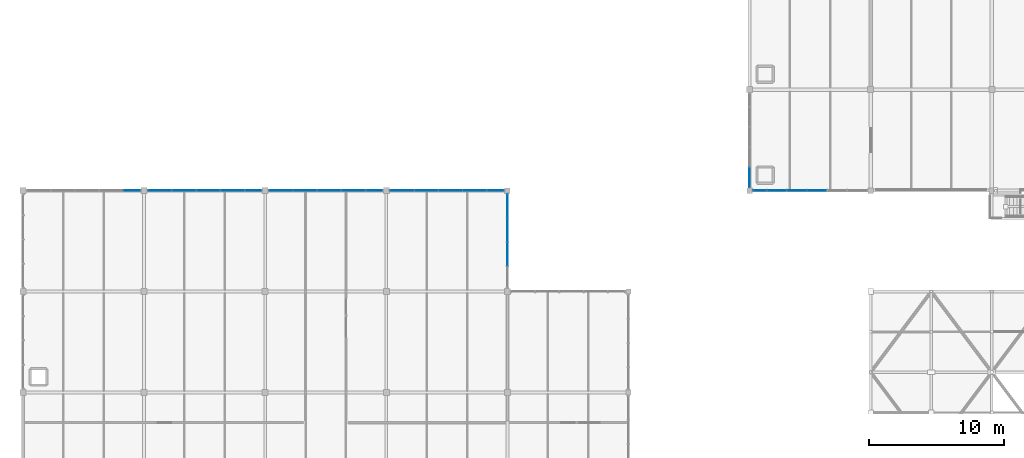
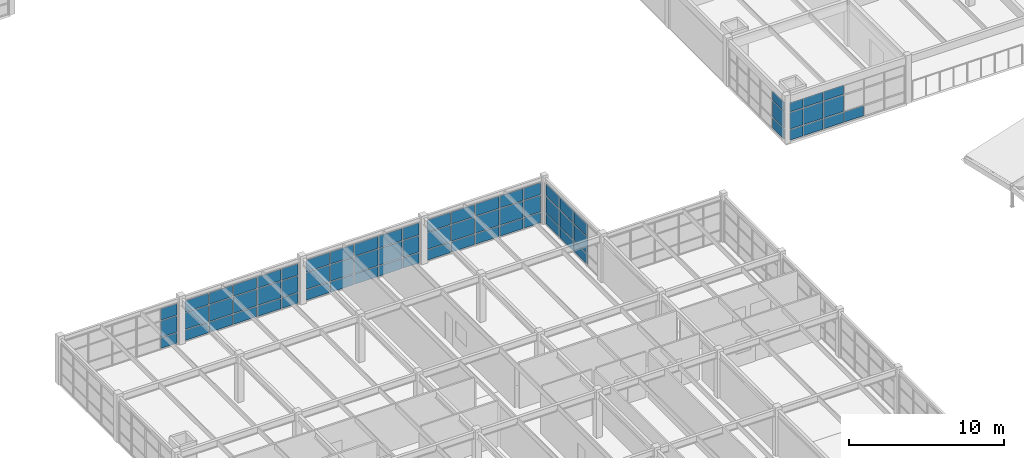
# One storey, part 52 of 81: 70 plates, 7 elements without a shape of their own.
"""IFC4 building model written with IfcOpenShell, lengths in metres."""

import ifcopenshell
import ifcopenshell.guid

model = None  # the IFC model being written
_history = None  # IfcOwnerHistory: only IFC2X3 demands one
_inside = {}  # id of a spatial element -> (the spatial element, [elements in it])
_under = {}  # id of a project, library or spatial element -> (it, [spatial elements below it])
_declared = {}  # id of a project -> (the project, [libraries it declares])
_typed = {}  # id of a type object -> (the type object, [elements of that type])
_made_of = {}  # id of a material, layer set ... -> (it, [elements and type objects made of it])


def new_model(schema):
    """Start an empty IFC model of exactly this schema.

    Asked for "IFC4X3", IfcOpenShell would pick the latest addendum, in which some entities
    have other attributes; the version numbers below select the first issue.
    IFC2X3 requires an IfcOwnerHistory on every rooted entity: one is made here for all.
    """
    global model, _history
    if schema == "IFC4X3":
        model = ifcopenshell.file(schema_version=(4, 3, 0, 0))
    else:
        model = ifcopenshell.file(schema=schema)
    _inside.clear()
    _under.clear()
    _declared.clear()
    _typed.clear()
    _made_of.clear()
    _history = None
    if model.schema == "IFC2X3":
        org = make("IfcOrganization", Name="unknown")
        user = make(
            "IfcPersonAndOrganization",
            ThePerson=make("IfcPerson", FamilyName="unknown"),
            TheOrganization=org,
        )
        app = make(
            "IfcApplication",
            ApplicationDeveloper=org,
            Version="unknown",
            ApplicationFullName="unknown",
            ApplicationIdentifier="unknown",
        )
        _history = make(
            "IfcOwnerHistory",
            OwningUser=user,
            OwningApplication=app,
            ChangeAction="ADDED",
            CreationDate=0,
        )
    return model


def make(cls, **values):
    """One entity of the class cls with the attributes given. An attribute that is None is left unset."""
    return model.create_entity(
        cls, **{name: value for name, value in values.items() if value is not None}
    )


def rooted(cls, **values):
    """An entity with a GlobalId (a new one), such as an element, a storey or a relation."""
    return make(cls, GlobalId=ifcopenshell.guid.new(), OwnerHistory=_history, **values)


def si_unit(unit_type, name, prefix=None):
    """IfcSIUnit, for example si_unit("LENGTHUNIT", "METRE", prefix="MILLI")."""
    return make("IfcSIUnit", UnitType=unit_type, Prefix=prefix, Name=name)


def assignment(units):
    """IfcUnitAssignment: the units of a project."""
    return None if units is None else make("IfcUnitAssignment", Units=units)


def point(xyz):
    """IfcCartesianPoint."""
    return None if xyz is None else make("IfcCartesianPoint", Coordinates=xyz)


def direction(xyz):
    """IfcDirection."""
    return None if xyz is None else make("IfcDirection", DirectionRatios=xyz)


def frame(location, z_axis=None, x_axis=None):
    """IfcAxis2Placement3D, a coordinate frame: its origin and axes. An axis left out is left unset."""
    return make(
        "IfcAxis2Placement3D",
        Location=point(location),
        Axis=direction(z_axis),
        RefDirection=direction(x_axis),
    )


def frame_2d(location, x_axis=None):
    """IfcAxis2Placement2D, a coordinate frame in the plane: its origin and x axis."""
    return make(
        "IfcAxis2Placement2D", Location=point(location), RefDirection=direction(x_axis)
    )


def origin():
    """The frame at (0, 0, 0) with its axes left unset."""
    return frame((0.0, 0.0, 0.0))


def origin_2d():
    """The frame at (0, 0) in the plane with its x axis left unset."""
    return frame_2d((0.0, 0.0))


def place(relative_to, where):
    """IfcLocalPlacement: puts the frame where relative to a parent placement (None: the world)."""
    return make(
        "IfcLocalPlacement", PlacementRelTo=relative_to, RelativePlacement=where
    )


def context(
    kind, dimensions, precision=None, world=None, true_north=None, identifier=None
):
    """IfcGeometricRepresentationContext, for example the 3D "Model" context."""
    return make(
        "IfcGeometricRepresentationContext",
        ContextIdentifier=identifier,
        ContextType=kind,
        CoordinateSpaceDimension=dimensions,
        Precision=precision,
        WorldCoordinateSystem=world,
        TrueNorth=true_north,
    )


def subcontext(parent, identifier, kind, view, scale=None):
    """IfcGeometricRepresentationSubContext, for example "Body" below "Model"."""
    return make(
        "IfcGeometricRepresentationSubContext",
        ContextIdentifier=identifier,
        ContextType=kind,
        ParentContext=parent,
        TargetScale=scale,
        TargetView=view,
    )


def project(units=None, contexts=None):
    """IfcProject with its units and contexts."""
    return rooted(
        "IfcProject",
        Name="project",
        RepresentationContexts=contexts,
        UnitsInContext=assignment(units),
    )


def spatial(cls, under=None, at=None, **own):
    """A site, building, storey or space (cls), placed at a placement, below another one or the project."""
    s = rooted(cls, ObjectPlacement=at, **own)
    if under is not None:
        _under.setdefault(under.id(), (under, []))[1].append(s)
    return s


def profile(cls, at=None, kind="AREA", **sizes):
    """A parametric profile (cls). Its sizes go by their IFC names, for example OverallWidth=200.0."""
    return make(cls, ProfileType=kind, Position=at, **sizes)


def rectangle(**sizes):
    """IfcRectangleProfileDef."""
    return profile("IfcRectangleProfileDef", **sizes)


def extrude(swept, where, along, depth):
    """IfcExtrudedAreaSolid: the profile swept, set in the frame where, extruded along a direction by depth."""
    return make(
        "IfcExtrudedAreaSolid",
        SweptArea=swept,
        Position=where,
        ExtrudedDirection=direction(along),
        Depth=depth,
    )


def shape(context_of_items, identifier, shape_type, items):
    """IfcShapeRepresentation: the items that make up one representation, for example the "Body"."""
    return make(
        "IfcShapeRepresentation",
        ContextOfItems=context_of_items,
        RepresentationIdentifier=identifier,
        RepresentationType=shape_type,
        Items=items,
    )


def material(Name=None, Category=None):
    """IfcMaterial."""
    return make("IfcMaterial", Name=Name, Category=Category)


def layer(
    of_material, thickness, ventilated=None, Name=None, Category=None, Priority=None
):
    """IfcMaterialLayer: one layer of a wall or slab, of a material (None: an air gap)."""
    return make(
        "IfcMaterialLayer",
        Material=of_material,
        LayerThickness=thickness,
        IsVentilated=ventilated,
        Name=Name,
        Category=Category,
        Priority=Priority,
    )


def layer_set(layers, Name=None):
    """IfcMaterialLayerSet."""
    return make("IfcMaterialLayerSet", MaterialLayers=layers, LayerSetName=Name)


def made_of(thing, what):
    """Note that an element or type object is made of a material, layer set ...; save() writes the relation."""
    if what is not None:
        _made_of.setdefault(what.id(), (what, []))[1].append(thing)
    return thing


def type_object(cls, material=None, **own):
    """A type object (cls), such as IfcWallType, which elements share."""
    return made_of(rooted(cls, **own), material)


def element(
    cls,
    number,
    at=None,
    inside=None,
    cuts=None,
    type_object=None,
    material=None,
    context=None,
    identifier="Body",
    shape_type=None,
    held_by="IfcProductDefinitionShape",
    body=None,
    shapes=None,
    **own,
):
    """One element of the class cls, such as IfcWall. Its Tag is "e" and its number.

    at: its placement. inside: the storey or other place that contains it. cuts: it is an
    opening in that element (IfcRelVoidsElement). A single representation is given by context,
    identifier, shape_type and body (its items); several are given by shapes. held_by: the class
    of the entity that holds the representations. save() writes the other relations.
    """
    e = rooted(cls, Tag="e%d" % number, ObjectPlacement=at, **own)
    if body is not None:
        shapes = [shape(context, identifier, shape_type, body)]
    if shapes is not None:
        e.Representation = make(held_by, Representations=shapes)
    if inside is not None:
        _inside.setdefault(inside.id(), (inside, []))[1].append(e)
    if cuts is not None:
        rooted(
            "IfcRelVoidsElement", RelatingBuildingElement=cuts, RelatedOpeningElement=e
        )
    if type_object is not None:
        _typed.setdefault(type_object.id(), (type_object, []))[1].append(e)
    return made_of(e, material)


def aggregate(whole, parts):
    """IfcRelAggregates: a whole, such as a stair, and the parts it consists of."""
    return rooted("IfcRelAggregates", RelatingObject=whole, RelatedObjects=parts)


def save(model, path):
    """Write the relations noted so far, then the file.

    IfcRelAggregates (storeys below a building ...), IfcRelContainedInSpatialStructure (elements
    in a storey), IfcRelDefinesByType, IfcRelAssociatesMaterial and IfcRelDeclares: one each for
    every whole, place, type object, material and project.
    """
    for whole, parts in _under.values():
        aggregate(whole, parts)
    for where, things in _inside.values():
        rooted(
            "IfcRelContainedInSpatialStructure",
            RelatedElements=things,
            RelatingStructure=where,
        )
    for kind, things in _typed.values():
        rooted("IfcRelDefinesByType", RelatedObjects=things, RelatingType=kind)
    for what, things in _made_of.values():
        rooted("IfcRelAssociatesMaterial", RelatedObjects=things, RelatingMaterial=what)
    for by, libraries in _declared.values():
        rooted("IfcRelDeclares", RelatingContext=by, RelatedDefinitions=libraries)
    model.write(path)


model = new_model("IFC4")

# Units and contexts
model_context = context("Model", 3, precision=1e-05, world=origin(), true_north=direction((0.0, 1.0)))
body_context = subcontext(model_context, "Body", "Model", "MODEL_VIEW")
ifc_project = project(units=[si_unit("LENGTHUNIT", "METRE"), si_unit("AREAUNIT", "SQUARE_METRE"), si_unit("VOLUMEUNIT", "CUBIC_METRE"), si_unit("PLANEANGLEUNIT", "RADIAN"), si_unit("MASSUNIT", "GRAM", prefix="KILO")], contexts=[model_context])

# Site, building, storey
site_placement = place(None, origin())
site = spatial("IfcSite", under=ifc_project, at=site_placement, CompositionType="ELEMENT")
building_placement = place(site_placement, origin())
building = spatial("IfcBuilding", under=site, at=building_placement, Name="Marnridge Secondary College", CompositionType="ELEMENT")
storey_placement = place(building_placement, frame((0.0, 0.0, 8.5)))
storey = spatial("IfcBuildingStorey", under=building, at=storey_placement, Name="L02", CompositionType="ELEMENT", Elevation=8.5)

# Curtain wall, plates
ifc_material_1 = material(Name="Thermally broken aluminium and low-E glazing", Category="aluminium")
ifc_layer_1 = layer(ifc_material_1, 0.159912109375)
ifc_layer_set_1 = layer_set([ifc_layer_1], Name="CW-MOD-1500")
curtain_wall_type_1 = type_object("IfcCurtainWallType", Name="CW-MOD-1500", PredefinedType="NOTDEFINED", material=ifc_layer_set_1)
curtain_wall_1_placement = place(storey_placement, origin())
curtain_wall_1 = element("IfcCurtainWall", 1, at=curtain_wall_1_placement, inside=storey, type_object=curtain_wall_type_1, Name="Unitised curtain wall CW-L02-081", PredefinedType="NOTDEFINED")
ifc_material_2 = material(Name="Double-glazed low-E argon unit", Category="glass")
ifc_layer_2 = layer(ifc_material_2, 0.028076171875)
ifc_layer_set_2 = layer_set([ifc_layer_2], Name="CWP-GLZ28")
plate_type_1 = type_object("IfcPlateType", Name="CWP-GLZ28", PredefinedType="CURTAIN_PANEL", material=ifc_layer_set_2)
plate_1_placement = place(storey_placement, frame((59.01611328125, 37.5, 0.06005859375), z_axis=(0.0, 0.0, 1.0), x_axis=(-1.0, 0.0, 0.0)))
plate_1 = element("IfcPlate", 2, at=plate_1_placement, type_object=plate_type_1, Name="CW-L02-081 panel 3.1", PredefinedType="CURTAIN_PANEL", context=body_context, shape_type="SweptSolid", body=[
    extrude(rectangle(XDim=1.43994140625, YDim=0.028076171875, at=origin_2d()), origin(), (0.0, 0.0, 1.0), 0.81005859375),
])
plate_2_placement = place(storey_placement, frame((57.51611328125, 37.5, 0.06005859375), z_axis=(0.0, 0.0, 1.0), x_axis=(-1.0, 0.0, 0.0)))
plate_2 = element("IfcPlate", 3, at=plate_2_placement, type_object=plate_type_1, Name="CW-L02-081 panel 4.1", PredefinedType="CURTAIN_PANEL", context=body_context, shape_type="SweptSolid", body=[
    extrude(rectangle(XDim=1.43994140625, YDim=0.028076171875, at=origin_2d()), origin(), (0.0, 0.0, 1.0), 0.81005859375),
])
plate_3_placement = place(storey_placement, frame((57.51611328125, 37.5, 0.929931640625), z_axis=(0.0, 0.0, 1.0), x_axis=(-1.0, 0.0, 0.0)))
plate_3 = element("IfcPlate", 4, at=plate_3_placement, type_object=plate_type_1, Name="CW-L02-081 panel 4.2", PredefinedType="CURTAIN_PANEL", context=body_context, shape_type="SweptSolid", body=[
    extrude(rectangle(XDim=1.43994140625, YDim=0.028076171875, at=origin_2d()), origin(), (0.0, 0.0, 1.0), 1.2900390625),
])
plate_4_placement = place(storey_placement, frame((57.51611328125, 37.5, 2.280029296875), z_axis=(0.0, 0.0, 1.0), x_axis=(-1.0, 0.0, 0.0)))
plate_4 = element("IfcPlate", 5, at=plate_4_placement, type_object=plate_type_1, Name="CW-L02-081 panel 4.3", PredefinedType="CURTAIN_PANEL", context=body_context, shape_type="SweptSolid", body=[
    extrude(rectangle(XDim=1.43994140625, YDim=0.028076171875, at=origin_2d()), origin(), (0.0, 0.0, 1.0), 0.70703125),
])
plate_5_placement = place(storey_placement, frame((56.01611328125, 37.5, 0.06005859375), z_axis=(0.0, 0.0, 1.0), x_axis=(-1.0, 0.0, 0.0)))
plate_5 = element("IfcPlate", 6, at=plate_5_placement, type_object=plate_type_1, Name="CW-L02-081 panel 5.1", PredefinedType="CURTAIN_PANEL", context=body_context, shape_type="SweptSolid", body=[
    extrude(rectangle(XDim=1.43994140625, YDim=0.028076171875, at=origin_2d()), origin(), (0.0, 0.0, 1.0), 0.81005859375),
])
plate_6_placement = place(storey_placement, frame((56.01611328125, 37.5, 0.929931640625), z_axis=(0.0, 0.0, 1.0), x_axis=(-1.0, 0.0, 0.0)))
plate_6 = element("IfcPlate", 7, at=plate_6_placement, type_object=plate_type_1, Name="CW-L02-081 panel 5.2", PredefinedType="CURTAIN_PANEL", context=body_context, shape_type="SweptSolid", body=[
    extrude(rectangle(XDim=1.43994140625, YDim=0.028076171875, at=origin_2d()), origin(), (0.0, 0.0, 1.0), 1.2900390625),
])
plate_7_placement = place(storey_placement, frame((56.01611328125, 37.5, 2.280029296875), z_axis=(0.0, 0.0, 1.0), x_axis=(-1.0, 0.0, 0.0)))
plate_7 = element("IfcPlate", 8, at=plate_7_placement, type_object=plate_type_1, Name="CW-L02-081 panel 5.3", PredefinedType="CURTAIN_PANEL", context=body_context, shape_type="SweptSolid", body=[
    extrude(rectangle(XDim=1.43994140625, YDim=0.028076171875, at=origin_2d()), origin(), (0.0, 0.0, 1.0), 0.70703125),
])
plate_8_placement = place(storey_placement, frame((54.75, 37.5, 0.06005859375), z_axis=(0.0, 0.0, 1.0), x_axis=(-1.0, 0.0, 0.0)))
plate_8 = element("IfcPlate", 9, at=plate_8_placement, type_object=plate_type_1, Name="CW-L02-081 panel 6.1", PredefinedType="CURTAIN_PANEL", context=body_context, shape_type="SweptSolid", body=[
    extrude(rectangle(XDim=0.971923828125, YDim=0.028076171875, at=origin_2d()), origin(), (0.0, 0.0, 1.0), 0.81005859375),
])
plate_9_placement = place(storey_placement, frame((54.75, 37.5, 0.929931640625), z_axis=(0.0, 0.0, 1.0), x_axis=(-1.0, 0.0, 0.0)))
plate_9 = element("IfcPlate", 10, at=plate_9_placement, type_object=plate_type_1, Name="CW-L02-081 panel 6.2", PredefinedType="CURTAIN_PANEL", context=body_context, shape_type="SweptSolid", body=[
    extrude(rectangle(XDim=0.971923828125, YDim=0.028076171875, at=origin_2d()), origin(), (0.0, 0.0, 1.0), 1.2900390625),
])
plate_10_placement = place(storey_placement, frame((54.75, 37.5, 2.280029296875), z_axis=(0.0, 0.0, 1.0), x_axis=(-1.0, 0.0, 0.0)))
plate_10 = element("IfcPlate", 11, at=plate_10_placement, type_object=plate_type_1, Name="CW-L02-081 panel 6.3", PredefinedType="CURTAIN_PANEL", context=body_context, shape_type="SweptSolid", body=[
    extrude(rectangle(XDim=0.971923828125, YDim=0.028076171875, at=origin_2d()), origin(), (0.0, 0.0, 1.0), 0.70703125),
])
aggregate(curtain_wall_1, [plate_1, plate_2, plate_3, plate_4, plate_5, plate_6, plate_7, plate_8, plate_9, plate_10])

curtain_wall_2_placement = place(storey_placement, origin())
curtain_wall_2 = element("IfcCurtainWall", 12, at=curtain_wall_2_placement, inside=storey, type_object=curtain_wall_type_1, Name="Unitised curtain wall CW-L02-082", PredefinedType="NOTDEFINED")
plate_11_placement = place(storey_placement, frame((54.0, 38.48388671875, 0.06005859375), z_axis=(0.0, 0.0, 1.0), x_axis=(0.0, 1.0, 0.0)))
plate_11 = element("IfcPlate", 13, at=plate_11_placement, type_object=plate_type_1, Name="CW-L02-082 panel 1.1", PredefinedType="CURTAIN_PANEL", context=body_context, shape_type="SweptSolid", body=[
    extrude(rectangle(XDim=1.43994140625, YDim=0.028076171875, at=origin_2d()), origin(), (0.0, 0.0, 1.0), 0.81005859375),
])
plate_12_placement = place(storey_placement, frame((54.0, 38.48388671875, 0.929931640625), z_axis=(0.0, 0.0, 1.0), x_axis=(0.0, 1.0, 0.0)))
plate_12 = element("IfcPlate", 14, at=plate_12_placement, type_object=plate_type_1, Name="CW-L02-082 panel 1.2", PredefinedType="CURTAIN_PANEL", context=body_context, shape_type="SweptSolid", body=[
    extrude(rectangle(XDim=1.43994140625, YDim=0.028076171875, at=origin_2d()), origin(), (0.0, 0.0, 1.0), 1.2900390625),
])
plate_13_placement = place(storey_placement, frame((54.0, 38.48388671875, 2.280029296875), z_axis=(0.0, 0.0, 1.0), x_axis=(0.0, 1.0, 0.0)))
plate_13 = element("IfcPlate", 15, at=plate_13_placement, type_object=plate_type_1, Name="CW-L02-082 panel 1.3", PredefinedType="CURTAIN_PANEL", context=body_context, shape_type="SweptSolid", body=[
    extrude(rectangle(XDim=1.43994140625, YDim=0.028076171875, at=origin_2d()), origin(), (0.0, 0.0, 1.0), 0.70703125),
])
aggregate(curtain_wall_2, [plate_11, plate_12, plate_13])

ifc_material_3 = material(Name="Bronze-anodised aluminium and solar-control glazing", Category="aluminium")
ifc_layer_3 = layer(ifc_material_3, 0.199951171875)
ifc_layer_set_3 = layer_set([ifc_layer_3], Name="CW-MOD-1800")
curtain_wall_type_2 = type_object("IfcCurtainWallType", Name="CW-MOD-1800", PredefinedType="NOTDEFINED", material=ifc_layer_set_3)
curtain_wall_3_placement = place(storey_placement, origin())
curtain_wall_3 = element("IfcCurtainWall", 16, at=curtain_wall_3_placement, inside=storey, type_object=curtain_wall_type_2, Name="Unitised curtain wall CW-L02-100", PredefinedType="NOTDEFINED")
ifc_material_4 = material(Name="Acoustic laminated solar-control double glazing", Category="glass")
ifc_layer_4 = layer(ifc_material_4, 0.035888671875)
ifc_layer_set_4 = layer_set([ifc_layer_4], Name="CWP-GLZ36")
plate_type_2 = type_object("IfcPlateType", Name="CWP-GLZ36", PredefinedType="CURTAIN_PANEL", material=ifc_layer_set_4)
plate_14_placement = place(storey_placement, frame((8.10009765625, 37.5, 0.06494140625), z_axis=(0.0, 0.0, 1.0), x_axis=(1.0, 0.0, 0.0)))
plate_14 = element("IfcPlate", 17, at=plate_14_placement, type_object=plate_type_2, Name="CW-L02-100 panel 5.1", PredefinedType="CURTAIN_PANEL", context=body_context, shape_type="SweptSolid", body=[
    extrude(rectangle(XDim=1.201904296875, YDim=0.035888671875, at=origin_2d()), origin(), (0.0, 0.0, 1.0), 0.802490234375),
])
plate_15_placement = place(storey_placement, frame((8.10009765625, 37.5, 0.9326171875), z_axis=(0.0, 0.0, 1.0), x_axis=(1.0, 0.0, 0.0)))
plate_15 = element("IfcPlate", 18, at=plate_15_placement, type_object=plate_type_2, Name="CW-L02-100 panel 5.2", PredefinedType="CURTAIN_PANEL", context=body_context, shape_type="SweptSolid", body=[
    extrude(rectangle(XDim=1.201904296875, YDim=0.035888671875, at=origin_2d()), origin(), (0.0, 0.0, 1.0), 1.284912109375),
])
plate_16_placement = place(storey_placement, frame((8.10009765625, 37.5, 2.2822265625), z_axis=(0.0, 0.0, 1.0), x_axis=(1.0, 0.0, 0.0)))
plate_16 = element("IfcPlate", 19, at=plate_16_placement, type_object=plate_type_2, Name="CW-L02-100 panel 5.3", PredefinedType="CURTAIN_PANEL", context=body_context, shape_type="SweptSolid", body=[
    extrude(rectangle(XDim=1.201904296875, YDim=0.035888671875, at=origin_2d()), origin(), (0.0, 0.0, 1.0), 0.882568359375),
])
aggregate(curtain_wall_3, [plate_14, plate_15, plate_16])

curtain_wall_4_placement = place(storey_placement, origin())
curtain_wall_4 = element("IfcCurtainWall", 20, at=curtain_wall_4_placement, inside=storey, type_object=curtain_wall_type_2, Name="Unitised curtain wall CW-L02-101", PredefinedType="NOTDEFINED")
plate_17_placement = place(storey_placement, frame((10.1640625, 37.5, 0.06494140625), z_axis=(0.0, 0.0, 1.0), x_axis=(1.0, 0.0, 0.0)))
plate_17 = element("IfcPlate", 21, at=plate_17_placement, type_object=plate_type_2, Name="CW-L02-101 panel 1.1", PredefinedType="CURTAIN_PANEL", context=body_context, shape_type="SweptSolid", body=[
    extrude(rectangle(XDim=1.72998046875, YDim=0.035888671875, at=origin_2d()), origin(), (0.0, 0.0, 1.0), 0.802490234375),
])
plate_18_placement = place(storey_placement, frame((10.1640625, 37.5, 0.9326171875), z_axis=(0.0, 0.0, 1.0), x_axis=(1.0, 0.0, 0.0)))
plate_18 = element("IfcPlate", 22, at=plate_18_placement, type_object=plate_type_2, Name="CW-L02-101 panel 1.2", PredefinedType="CURTAIN_PANEL", context=body_context, shape_type="SweptSolid", body=[
    extrude(rectangle(XDim=1.72998046875, YDim=0.035888671875, at=origin_2d()), origin(), (0.0, 0.0, 1.0), 1.284912109375),
])
plate_19_placement = place(storey_placement, frame((10.1640625, 37.5, 2.2822265625), z_axis=(0.0, 0.0, 1.0), x_axis=(1.0, 0.0, 0.0)))
plate_19 = element("IfcPlate", 23, at=plate_19_placement, type_object=plate_type_2, Name="CW-L02-101 panel 1.3", PredefinedType="CURTAIN_PANEL", context=body_context, shape_type="SweptSolid", body=[
    extrude(rectangle(XDim=1.72998046875, YDim=0.035888671875, at=origin_2d()), origin(), (0.0, 0.0, 1.0), 0.882568359375),
])
plate_20_placement = place(storey_placement, frame((11.964111328125, 37.5, 0.06494140625), z_axis=(0.0, 0.0, 1.0), x_axis=(1.0, 0.0, 0.0)))
plate_20 = element("IfcPlate", 24, at=plate_20_placement, type_object=plate_type_2, Name="CW-L02-101 panel 2.1", PredefinedType="CURTAIN_PANEL", context=body_context, shape_type="SweptSolid", body=[
    extrude(rectangle(XDim=1.72998046875, YDim=0.035888671875, at=origin_2d()), origin(), (0.0, 0.0, 1.0), 0.802490234375),
])
plate_21_placement = place(storey_placement, frame((11.964111328125, 37.5, 0.9326171875), z_axis=(0.0, 0.0, 1.0), x_axis=(1.0, 0.0, 0.0)))
plate_21 = element("IfcPlate", 25, at=plate_21_placement, type_object=plate_type_2, Name="CW-L02-101 panel 2.2", PredefinedType="CURTAIN_PANEL", context=body_context, shape_type="SweptSolid", body=[
    extrude(rectangle(XDim=1.72998046875, YDim=0.035888671875, at=origin_2d()), origin(), (0.0, 0.0, 1.0), 1.284912109375),
])
plate_22_placement = place(storey_placement, frame((11.964111328125, 37.5, 2.2822265625), z_axis=(0.0, 0.0, 1.0), x_axis=(1.0, 0.0, 0.0)))
plate_22 = element("IfcPlate", 26, at=plate_22_placement, type_object=plate_type_2, Name="CW-L02-101 panel 2.3", PredefinedType="CURTAIN_PANEL", context=body_context, shape_type="SweptSolid", body=[
    extrude(rectangle(XDim=1.72998046875, YDim=0.035888671875, at=origin_2d()), origin(), (0.0, 0.0, 1.0), 0.882568359375),
])
plate_23_placement = place(storey_placement, frame((13.763916015625, 37.5, 0.06494140625), z_axis=(0.0, 0.0, 1.0), x_axis=(1.0, 0.0, 0.0)))
plate_23 = element("IfcPlate", 27, at=plate_23_placement, type_object=plate_type_2, Name="CW-L02-101 panel 3.1", PredefinedType="CURTAIN_PANEL", context=body_context, shape_type="SweptSolid", body=[
    extrude(rectangle(XDim=1.72998046875, YDim=0.035888671875, at=origin_2d()), origin(), (0.0, 0.0, 1.0), 0.802490234375),
])
plate_24_placement = place(storey_placement, frame((13.763916015625, 37.5, 0.9326171875), z_axis=(0.0, 0.0, 1.0), x_axis=(1.0, 0.0, 0.0)))
plate_24 = element("IfcPlate", 28, at=plate_24_placement, type_object=plate_type_2, Name="CW-L02-101 panel 3.2", PredefinedType="CURTAIN_PANEL", context=body_context, shape_type="SweptSolid", body=[
    extrude(rectangle(XDim=1.72998046875, YDim=0.035888671875, at=origin_2d()), origin(), (0.0, 0.0, 1.0), 1.284912109375),
])
plate_25_placement = place(storey_placement, frame((13.763916015625, 37.5, 2.2822265625), z_axis=(0.0, 0.0, 1.0), x_axis=(1.0, 0.0, 0.0)))
plate_25 = element("IfcPlate", 29, at=plate_25_placement, type_object=plate_type_2, Name="CW-L02-101 panel 3.3", PredefinedType="CURTAIN_PANEL", context=body_context, shape_type="SweptSolid", body=[
    extrude(rectangle(XDim=1.72998046875, YDim=0.035888671875, at=origin_2d()), origin(), (0.0, 0.0, 1.0), 0.882568359375),
])
plate_26_placement = place(storey_placement, frame((15.56396484375, 37.5, 0.06494140625), z_axis=(0.0, 0.0, 1.0), x_axis=(1.0, 0.0, 0.0)))
plate_26 = element("IfcPlate", 30, at=plate_26_placement, type_object=plate_type_2, Name="CW-L02-101 panel 4.1", PredefinedType="CURTAIN_PANEL", context=body_context, shape_type="SweptSolid", body=[
    extrude(rectangle(XDim=1.72998046875, YDim=0.035888671875, at=origin_2d()), origin(), (0.0, 0.0, 1.0), 0.802490234375),
])
plate_27_placement = place(storey_placement, frame((15.56396484375, 37.5, 0.9326171875), z_axis=(0.0, 0.0, 1.0), x_axis=(1.0, 0.0, 0.0)))
plate_27 = element("IfcPlate", 31, at=plate_27_placement, type_object=plate_type_2, Name="CW-L02-101 panel 4.2", PredefinedType="CURTAIN_PANEL", context=body_context, shape_type="SweptSolid", body=[
    extrude(rectangle(XDim=1.72998046875, YDim=0.035888671875, at=origin_2d()), origin(), (0.0, 0.0, 1.0), 1.284912109375),
])
plate_28_placement = place(storey_placement, frame((15.56396484375, 37.5, 2.2822265625), z_axis=(0.0, 0.0, 1.0), x_axis=(1.0, 0.0, 0.0)))
plate_28 = element("IfcPlate", 32, at=plate_28_placement, type_object=plate_type_2, Name="CW-L02-101 panel 4.3", PredefinedType="CURTAIN_PANEL", context=body_context, shape_type="SweptSolid", body=[
    extrude(rectangle(XDim=1.72998046875, YDim=0.035888671875, at=origin_2d()), origin(), (0.0, 0.0, 1.0), 0.882568359375),
])
plate_29_placement = place(storey_placement, frame((17.10009765625, 37.5, 0.06494140625), z_axis=(0.0, 0.0, 1.0), x_axis=(1.0, 0.0, 0.0)))
plate_29 = element("IfcPlate", 33, at=plate_29_placement, type_object=plate_type_2, Name="CW-L02-101 panel 5.1", PredefinedType="CURTAIN_PANEL", context=body_context, shape_type="SweptSolid", body=[
    extrude(rectangle(XDim=1.201904296875, YDim=0.035888671875, at=origin_2d()), origin(), (0.0, 0.0, 1.0), 0.802490234375),
])
plate_30_placement = place(storey_placement, frame((17.10009765625, 37.5, 0.9326171875), z_axis=(0.0, 0.0, 1.0), x_axis=(1.0, 0.0, 0.0)))
plate_30 = element("IfcPlate", 34, at=plate_30_placement, type_object=plate_type_2, Name="CW-L02-101 panel 5.2", PredefinedType="CURTAIN_PANEL", context=body_context, shape_type="SweptSolid", body=[
    extrude(rectangle(XDim=1.201904296875, YDim=0.035888671875, at=origin_2d()), origin(), (0.0, 0.0, 1.0), 1.284912109375),
])
plate_31_placement = place(storey_placement, frame((17.10009765625, 37.5, 2.2822265625), z_axis=(0.0, 0.0, 1.0), x_axis=(1.0, 0.0, 0.0)))
plate_31 = element("IfcPlate", 35, at=plate_31_placement, type_object=plate_type_2, Name="CW-L02-101 panel 5.3", PredefinedType="CURTAIN_PANEL", context=body_context, shape_type="SweptSolid", body=[
    extrude(rectangle(XDim=1.201904296875, YDim=0.035888671875, at=origin_2d()), origin(), (0.0, 0.0, 1.0), 0.882568359375),
])
aggregate(curtain_wall_4, [plate_17, plate_18, plate_19, plate_20, plate_21, plate_22, plate_23, plate_24, plate_25, plate_26, plate_27, plate_28, plate_29, plate_30, plate_31])

curtain_wall_5_placement = place(storey_placement, origin())
curtain_wall_5 = element("IfcCurtainWall", 36, at=curtain_wall_5_placement, inside=storey, type_object=curtain_wall_type_2, Name="Unitised curtain wall CW-L02-102", PredefinedType="NOTDEFINED")
plate_32_placement = place(storey_placement, frame((19.1640625, 37.5, 0.06494140625), z_axis=(0.0, 0.0, 1.0), x_axis=(1.0, 0.0, 0.0)))
plate_32 = element("IfcPlate", 37, at=plate_32_placement, type_object=plate_type_2, Name="CW-L02-102 panel 1.1", PredefinedType="CURTAIN_PANEL", context=body_context, shape_type="SweptSolid", body=[
    extrude(rectangle(XDim=1.72998046875, YDim=0.035888671875, at=origin_2d()), origin(), (0.0, 0.0, 1.0), 0.802490234375),
])
plate_33_placement = place(storey_placement, frame((19.1640625, 37.5, 0.9326171875), z_axis=(0.0, 0.0, 1.0), x_axis=(1.0, 0.0, 0.0)))
plate_33 = element("IfcPlate", 38, at=plate_33_placement, type_object=plate_type_2, Name="CW-L02-102 panel 1.2", PredefinedType="CURTAIN_PANEL", context=body_context, shape_type="SweptSolid", body=[
    extrude(rectangle(XDim=1.72998046875, YDim=0.035888671875, at=origin_2d()), origin(), (0.0, 0.0, 1.0), 1.284912109375),
])
plate_34_placement = place(storey_placement, frame((19.1640625, 37.5, 2.282470703125), z_axis=(0.0, 0.0, 1.0), x_axis=(1.0, 0.0, 0.0)))
plate_34 = element("IfcPlate", 39, at=plate_34_placement, type_object=plate_type_2, Name="CW-L02-102 panel 1.3", PredefinedType="CURTAIN_PANEL", context=body_context, shape_type="SweptSolid", body=[
    extrude(rectangle(XDim=1.72998046875, YDim=0.035888671875, at=origin_2d()), origin(), (0.0, 0.0, 1.0), 0.9326171875),
])
plate_35_placement = place(storey_placement, frame((20.964111328125, 37.5, 0.06494140625), z_axis=(0.0, 0.0, 1.0), x_axis=(1.0, 0.0, 0.0)))
plate_35 = element("IfcPlate", 40, at=plate_35_placement, type_object=plate_type_2, Name="CW-L02-102 panel 2.1", PredefinedType="CURTAIN_PANEL", context=body_context, shape_type="SweptSolid", body=[
    extrude(rectangle(XDim=1.72998046875, YDim=0.035888671875, at=origin_2d()), origin(), (0.0, 0.0, 1.0), 0.802490234375),
])
plate_36_placement = place(storey_placement, frame((20.964111328125, 37.5, 0.9326171875), z_axis=(0.0, 0.0, 1.0), x_axis=(1.0, 0.0, 0.0)))
plate_36 = element("IfcPlate", 41, at=plate_36_placement, type_object=plate_type_2, Name="CW-L02-102 panel 2.2", PredefinedType="CURTAIN_PANEL", context=body_context, shape_type="SweptSolid", body=[
    extrude(rectangle(XDim=1.72998046875, YDim=0.035888671875, at=origin_2d()), origin(), (0.0, 0.0, 1.0), 1.284912109375),
])
plate_37_placement = place(storey_placement, frame((20.964111328125, 37.5, 2.282470703125), z_axis=(0.0, 0.0, 1.0), x_axis=(1.0, 0.0, 0.0)))
plate_37 = element("IfcPlate", 42, at=plate_37_placement, type_object=plate_type_2, Name="CW-L02-102 panel 2.3", PredefinedType="CURTAIN_PANEL", context=body_context, shape_type="SweptSolid", body=[
    extrude(rectangle(XDim=1.72998046875, YDim=0.035888671875, at=origin_2d()), origin(), (0.0, 0.0, 1.0), 0.9326171875),
])
plate_38_placement = place(storey_placement, frame((22.763916015625, 37.5, 0.06494140625), z_axis=(0.0, 0.0, 1.0), x_axis=(1.0, 0.0, 0.0)))
plate_38 = element("IfcPlate", 43, at=plate_38_placement, type_object=plate_type_2, Name="CW-L02-102 panel 3.1", PredefinedType="CURTAIN_PANEL", context=body_context, shape_type="SweptSolid", body=[
    extrude(rectangle(XDim=1.72998046875, YDim=0.035888671875, at=origin_2d()), origin(), (0.0, 0.0, 1.0), 0.802490234375),
])
plate_39_placement = place(storey_placement, frame((22.763916015625, 37.5, 0.9326171875), z_axis=(0.0, 0.0, 1.0), x_axis=(1.0, 0.0, 0.0)))
plate_39 = element("IfcPlate", 44, at=plate_39_placement, type_object=plate_type_2, Name="CW-L02-102 panel 3.2", PredefinedType="CURTAIN_PANEL", context=body_context, shape_type="SweptSolid", body=[
    extrude(rectangle(XDim=1.72998046875, YDim=0.035888671875, at=origin_2d()), origin(), (0.0, 0.0, 1.0), 1.284912109375),
])
plate_40_placement = place(storey_placement, frame((22.763916015625, 37.5, 2.282470703125), z_axis=(0.0, 0.0, 1.0), x_axis=(1.0, 0.0, 0.0)))
plate_40 = element("IfcPlate", 45, at=plate_40_placement, type_object=plate_type_2, Name="CW-L02-102 panel 3.3", PredefinedType="CURTAIN_PANEL", context=body_context, shape_type="SweptSolid", body=[
    extrude(rectangle(XDim=1.72998046875, YDim=0.035888671875, at=origin_2d()), origin(), (0.0, 0.0, 1.0), 0.9326171875),
])
plate_41_placement = place(storey_placement, frame((24.56396484375, 37.5, 0.06494140625), z_axis=(0.0, 0.0, 1.0), x_axis=(1.0, 0.0, 0.0)))
plate_41 = element("IfcPlate", 46, at=plate_41_placement, type_object=plate_type_2, Name="CW-L02-102 panel 4.1", PredefinedType="CURTAIN_PANEL", context=body_context, shape_type="SweptSolid", body=[
    extrude(rectangle(XDim=1.72998046875, YDim=0.035888671875, at=origin_2d()), origin(), (0.0, 0.0, 1.0), 0.802490234375),
])
plate_42_placement = place(storey_placement, frame((24.56396484375, 37.5, 0.9326171875), z_axis=(0.0, 0.0, 1.0), x_axis=(1.0, 0.0, 0.0)))
plate_42 = element("IfcPlate", 47, at=plate_42_placement, type_object=plate_type_2, Name="CW-L02-102 panel 4.2", PredefinedType="CURTAIN_PANEL", context=body_context, shape_type="SweptSolid", body=[
    extrude(rectangle(XDim=1.72998046875, YDim=0.035888671875, at=origin_2d()), origin(), (0.0, 0.0, 1.0), 1.284912109375),
])
plate_43_placement = place(storey_placement, frame((24.56396484375, 37.5, 2.282470703125), z_axis=(0.0, 0.0, 1.0), x_axis=(1.0, 0.0, 0.0)))
plate_43 = element("IfcPlate", 48, at=plate_43_placement, type_object=plate_type_2, Name="CW-L02-102 panel 4.3", PredefinedType="CURTAIN_PANEL", context=body_context, shape_type="SweptSolid", body=[
    extrude(rectangle(XDim=1.72998046875, YDim=0.035888671875, at=origin_2d()), origin(), (0.0, 0.0, 1.0), 0.9326171875),
])
plate_44_placement = place(storey_placement, frame((26.10009765625, 37.5, 0.06494140625), z_axis=(0.0, 0.0, 1.0), x_axis=(1.0, 0.0, 0.0)))
plate_44 = element("IfcPlate", 49, at=plate_44_placement, type_object=plate_type_2, Name="CW-L02-102 panel 5.1", PredefinedType="CURTAIN_PANEL", context=body_context, shape_type="SweptSolid", body=[
    extrude(rectangle(XDim=1.201904296875, YDim=0.035888671875, at=origin_2d()), origin(), (0.0, 0.0, 1.0), 0.802490234375),
])
plate_45_placement = place(storey_placement, frame((26.10009765625, 37.5, 0.9326171875), z_axis=(0.0, 0.0, 1.0), x_axis=(1.0, 0.0, 0.0)))
plate_45 = element("IfcPlate", 50, at=plate_45_placement, type_object=plate_type_2, Name="CW-L02-102 panel 5.2", PredefinedType="CURTAIN_PANEL", context=body_context, shape_type="SweptSolid", body=[
    extrude(rectangle(XDim=1.201904296875, YDim=0.035888671875, at=origin_2d()), origin(), (0.0, 0.0, 1.0), 1.284912109375),
])
plate_46_placement = place(storey_placement, frame((26.10009765625, 37.5, 2.282470703125), z_axis=(0.0, 0.0, 1.0), x_axis=(1.0, 0.0, 0.0)))
plate_46 = element("IfcPlate", 51, at=plate_46_placement, type_object=plate_type_2, Name="CW-L02-102 panel 5.3", PredefinedType="CURTAIN_PANEL", context=body_context, shape_type="SweptSolid", body=[
    extrude(rectangle(XDim=1.201904296875, YDim=0.035888671875, at=origin_2d()), origin(), (0.0, 0.0, 1.0), 0.9326171875),
])
aggregate(curtain_wall_5, [plate_32, plate_33, plate_34, plate_35, plate_36, plate_37, plate_38, plate_39, plate_40, plate_41, plate_42, plate_43, plate_44, plate_45, plate_46])

curtain_wall_6_placement = place(storey_placement, origin())
curtain_wall_6 = element("IfcCurtainWall", 52, at=curtain_wall_6_placement, inside=storey, type_object=curtain_wall_type_2, Name="Unitised curtain wall CW-L02-103", PredefinedType="NOTDEFINED")
plate_47_placement = place(storey_placement, frame((28.1640625, 37.5, 0.06494140625), z_axis=(0.0, 0.0, 1.0), x_axis=(1.0, 0.0, 0.0)))
plate_47 = element("IfcPlate", 53, at=plate_47_placement, type_object=plate_type_2, Name="CW-L02-103 panel 1.1", PredefinedType="CURTAIN_PANEL", context=body_context, shape_type="SweptSolid", body=[
    extrude(rectangle(XDim=1.72998046875, YDim=0.035888671875, at=origin_2d()), origin(), (0.0, 0.0, 1.0), 0.802490234375),
])
plate_48_placement = place(storey_placement, frame((28.1640625, 37.5, 0.9326171875), z_axis=(0.0, 0.0, 1.0), x_axis=(1.0, 0.0, 0.0)))
plate_48 = element("IfcPlate", 54, at=plate_48_placement, type_object=plate_type_2, Name="CW-L02-103 panel 1.2", PredefinedType="CURTAIN_PANEL", context=body_context, shape_type="SweptSolid", body=[
    extrude(rectangle(XDim=1.72998046875, YDim=0.035888671875, at=origin_2d()), origin(), (0.0, 0.0, 1.0), 1.284912109375),
])
plate_49_placement = place(storey_placement, frame((28.1640625, 37.5, 2.282470703125), z_axis=(0.0, 0.0, 1.0), x_axis=(1.0, 0.0, 0.0)))
plate_49 = element("IfcPlate", 55, at=plate_49_placement, type_object=plate_type_2, Name="CW-L02-103 panel 1.3", PredefinedType="CURTAIN_PANEL", context=body_context, shape_type="SweptSolid", body=[
    extrude(rectangle(XDim=1.72998046875, YDim=0.035888671875, at=origin_2d()), origin(), (0.0, 0.0, 1.0), 0.9326171875),
])
plate_50_placement = place(storey_placement, frame((29.964111328125, 37.5, 0.06494140625), z_axis=(0.0, 0.0, 1.0), x_axis=(1.0, 0.0, 0.0)))
plate_50 = element("IfcPlate", 56, at=plate_50_placement, type_object=plate_type_2, Name="CW-L02-103 panel 2.1", PredefinedType="CURTAIN_PANEL", context=body_context, shape_type="SweptSolid", body=[
    extrude(rectangle(XDim=1.72998046875, YDim=0.035888671875, at=origin_2d()), origin(), (0.0, 0.0, 1.0), 0.802490234375),
])
plate_51_placement = place(storey_placement, frame((29.964111328125, 37.5, 0.9326171875), z_axis=(0.0, 0.0, 1.0), x_axis=(1.0, 0.0, 0.0)))
plate_51 = element("IfcPlate", 57, at=plate_51_placement, type_object=plate_type_2, Name="CW-L02-103 panel 2.2", PredefinedType="CURTAIN_PANEL", context=body_context, shape_type="SweptSolid", body=[
    extrude(rectangle(XDim=1.72998046875, YDim=0.035888671875, at=origin_2d()), origin(), (0.0, 0.0, 1.0), 1.284912109375),
])
plate_52_placement = place(storey_placement, frame((29.964111328125, 37.5, 2.282470703125), z_axis=(0.0, 0.0, 1.0), x_axis=(1.0, 0.0, 0.0)))
plate_52 = element("IfcPlate", 58, at=plate_52_placement, type_object=plate_type_2, Name="CW-L02-103 panel 2.3", PredefinedType="CURTAIN_PANEL", context=body_context, shape_type="SweptSolid", body=[
    extrude(rectangle(XDim=1.72998046875, YDim=0.035888671875, at=origin_2d()), origin(), (0.0, 0.0, 1.0), 0.9326171875),
])
plate_53_placement = place(storey_placement, frame((31.763916015625, 37.5, 0.06494140625), z_axis=(0.0, 0.0, 1.0), x_axis=(1.0, 0.0, 0.0)))
plate_53 = element("IfcPlate", 59, at=plate_53_placement, type_object=plate_type_2, Name="CW-L02-103 panel 3.1", PredefinedType="CURTAIN_PANEL", context=body_context, shape_type="SweptSolid", body=[
    extrude(rectangle(XDim=1.72998046875, YDim=0.035888671875, at=origin_2d()), origin(), (0.0, 0.0, 1.0), 0.802490234375),
])
plate_54_placement = place(storey_placement, frame((31.763916015625, 37.5, 0.9326171875), z_axis=(0.0, 0.0, 1.0), x_axis=(1.0, 0.0, 0.0)))
plate_54 = element("IfcPlate", 60, at=plate_54_placement, type_object=plate_type_2, Name="CW-L02-103 panel 3.2", PredefinedType="CURTAIN_PANEL", context=body_context, shape_type="SweptSolid", body=[
    extrude(rectangle(XDim=1.72998046875, YDim=0.035888671875, at=origin_2d()), origin(), (0.0, 0.0, 1.0), 1.284912109375),
])
plate_55_placement = place(storey_placement, frame((31.763916015625, 37.5, 2.282470703125), z_axis=(0.0, 0.0, 1.0), x_axis=(1.0, 0.0, 0.0)))
plate_55 = element("IfcPlate", 61, at=plate_55_placement, type_object=plate_type_2, Name="CW-L02-103 panel 3.3", PredefinedType="CURTAIN_PANEL", context=body_context, shape_type="SweptSolid", body=[
    extrude(rectangle(XDim=1.72998046875, YDim=0.035888671875, at=origin_2d()), origin(), (0.0, 0.0, 1.0), 0.9326171875),
])
plate_56_placement = place(storey_placement, frame((33.56396484375, 37.5, 0.06494140625), z_axis=(0.0, 0.0, 1.0), x_axis=(1.0, 0.0, 0.0)))
plate_56 = element("IfcPlate", 62, at=plate_56_placement, type_object=plate_type_2, Name="CW-L02-103 panel 4.1", PredefinedType="CURTAIN_PANEL", context=body_context, shape_type="SweptSolid", body=[
    extrude(rectangle(XDim=1.72998046875, YDim=0.035888671875, at=origin_2d()), origin(), (0.0, 0.0, 1.0), 0.802490234375),
])
plate_57_placement = place(storey_placement, frame((33.56396484375, 37.5, 0.9326171875), z_axis=(0.0, 0.0, 1.0), x_axis=(1.0, 0.0, 0.0)))
plate_57 = element("IfcPlate", 63, at=plate_57_placement, type_object=plate_type_2, Name="CW-L02-103 panel 4.2", PredefinedType="CURTAIN_PANEL", context=body_context, shape_type="SweptSolid", body=[
    extrude(rectangle(XDim=1.72998046875, YDim=0.035888671875, at=origin_2d()), origin(), (0.0, 0.0, 1.0), 1.284912109375),
])
plate_58_placement = place(storey_placement, frame((33.56396484375, 37.5, 2.282470703125), z_axis=(0.0, 0.0, 1.0), x_axis=(1.0, 0.0, 0.0)))
plate_58 = element("IfcPlate", 64, at=plate_58_placement, type_object=plate_type_2, Name="CW-L02-103 panel 4.3", PredefinedType="CURTAIN_PANEL", context=body_context, shape_type="SweptSolid", body=[
    extrude(rectangle(XDim=1.72998046875, YDim=0.035888671875, at=origin_2d()), origin(), (0.0, 0.0, 1.0), 0.9326171875),
])
plate_59_placement = place(storey_placement, frame((35.112548828125, 37.5, 0.06494140625), z_axis=(0.0, 0.0, 1.0), x_axis=(1.0, 0.0, 0.0)))
plate_59 = element("IfcPlate", 65, at=plate_59_placement, type_object=plate_type_2, Name="CW-L02-103 panel 5.1", PredefinedType="CURTAIN_PANEL", context=body_context, shape_type="SweptSolid", body=[
    extrude(rectangle(XDim=1.22705078125, YDim=0.035888671875, at=origin_2d()), origin(), (0.0, 0.0, 1.0), 0.802490234375),
])
plate_60_placement = place(storey_placement, frame((35.112548828125, 37.5, 0.9326171875), z_axis=(0.0, 0.0, 1.0), x_axis=(1.0, 0.0, 0.0)))
plate_60 = element("IfcPlate", 66, at=plate_60_placement, type_object=plate_type_2, Name="CW-L02-103 panel 5.2", PredefinedType="CURTAIN_PANEL", context=body_context, shape_type="SweptSolid", body=[
    extrude(rectangle(XDim=1.22705078125, YDim=0.035888671875, at=origin_2d()), origin(), (0.0, 0.0, 1.0), 1.284912109375),
])
plate_61_placement = place(storey_placement, frame((35.112548828125, 37.5, 2.282470703125), z_axis=(0.0, 0.0, 1.0), x_axis=(1.0, 0.0, 0.0)))
plate_61 = element("IfcPlate", 67, at=plate_61_placement, type_object=plate_type_2, Name="CW-L02-103 panel 5.3", PredefinedType="CURTAIN_PANEL", context=body_context, shape_type="SweptSolid", body=[
    extrude(rectangle(XDim=1.22705078125, YDim=0.035888671875, at=origin_2d()), origin(), (0.0, 0.0, 1.0), 0.9326171875),
])
aggregate(curtain_wall_6, [plate_47, plate_48, plate_49, plate_50, plate_51, plate_52, plate_53, plate_54, plate_55, plate_56, plate_57, plate_58, plate_59, plate_60, plate_61])

curtain_wall_7_placement = place(storey_placement, origin())
curtain_wall_7 = element("IfcCurtainWall", 68, at=curtain_wall_7_placement, inside=storey, type_object=curtain_wall_type_2, Name="Unitised curtain wall CW-L02-104", PredefinedType="NOTDEFINED")
plate_62_placement = place(storey_placement, frame((36.0, 36.361083984375, 0.06494140625), z_axis=(0.0, 0.0, 1.0), x_axis=(0.0, -1.0, 0.0)))
plate_62 = element("IfcPlate", 69, at=plate_62_placement, type_object=plate_type_2, Name="CW-L02-104 panel 1.1", PredefinedType="CURTAIN_PANEL", context=body_context, shape_type="SweptSolid", body=[
    extrude(rectangle(XDim=1.72998046875, YDim=0.035888671875, at=origin_2d()), origin(), (0.0, 0.0, 1.0), 0.802490234375),
])
plate_63_placement = place(storey_placement, frame((36.0, 36.361083984375, 0.9326171875), z_axis=(0.0, 0.0, 1.0), x_axis=(0.0, -1.0, 0.0)))
plate_63 = element("IfcPlate", 70, at=plate_63_placement, type_object=plate_type_2, Name="CW-L02-104 panel 1.2", PredefinedType="CURTAIN_PANEL", context=body_context, shape_type="SweptSolid", body=[
    extrude(rectangle(XDim=1.72998046875, YDim=0.035888671875, at=origin_2d()), origin(), (0.0, 0.0, 1.0), 1.284912109375),
])
plate_64_placement = place(storey_placement, frame((36.0, 36.361083984375, 2.282470703125), z_axis=(0.0, 0.0, 1.0), x_axis=(0.0, -1.0, 0.0)))
plate_64 = element("IfcPlate", 71, at=plate_64_placement, type_object=plate_type_2, Name="CW-L02-104 panel 1.3", PredefinedType="CURTAIN_PANEL", context=body_context, shape_type="SweptSolid", body=[
    extrude(rectangle(XDim=1.72998046875, YDim=0.035888671875, at=origin_2d()), origin(), (0.0, 0.0, 1.0), 0.9326171875),
])
plate_65_placement = place(storey_placement, frame((36.0, 34.56103515625, 0.06494140625), z_axis=(0.0, 0.0, 1.0), x_axis=(0.0, -1.0, 0.0)))
plate_65 = element("IfcPlate", 72, at=plate_65_placement, type_object=plate_type_2, Name="CW-L02-104 panel 2.1", PredefinedType="CURTAIN_PANEL", context=body_context, shape_type="SweptSolid", body=[
    extrude(rectangle(XDim=1.72998046875, YDim=0.035888671875, at=origin_2d()), origin(), (0.0, 0.0, 1.0), 0.802490234375),
])
plate_66_placement = place(storey_placement, frame((36.0, 34.56103515625, 0.9326171875), z_axis=(0.0, 0.0, 1.0), x_axis=(0.0, -1.0, 0.0)))
plate_66 = element("IfcPlate", 73, at=plate_66_placement, type_object=plate_type_2, Name="CW-L02-104 panel 2.2", PredefinedType="CURTAIN_PANEL", context=body_context, shape_type="SweptSolid", body=[
    extrude(rectangle(XDim=1.72998046875, YDim=0.035888671875, at=origin_2d()), origin(), (0.0, 0.0, 1.0), 1.284912109375),
])
plate_67_placement = place(storey_placement, frame((36.0, 34.56103515625, 2.282470703125), z_axis=(0.0, 0.0, 1.0), x_axis=(0.0, -1.0, 0.0)))
plate_67 = element("IfcPlate", 74, at=plate_67_placement, type_object=plate_type_2, Name="CW-L02-104 panel 2.3", PredefinedType="CURTAIN_PANEL", context=body_context, shape_type="SweptSolid", body=[
    extrude(rectangle(XDim=1.72998046875, YDim=0.035888671875, at=origin_2d()), origin(), (0.0, 0.0, 1.0), 0.9326171875),
])
plate_68_placement = place(storey_placement, frame((36.0, 32.760986328125, 0.06494140625), z_axis=(0.0, 0.0, 1.0), x_axis=(0.0, -1.0, 0.0)))
plate_68 = element("IfcPlate", 75, at=plate_68_placement, type_object=plate_type_2, Name="CW-L02-104 panel 3.1", PredefinedType="CURTAIN_PANEL", context=body_context, shape_type="SweptSolid", body=[
    extrude(rectangle(XDim=1.72998046875, YDim=0.035888671875, at=origin_2d()), origin(), (0.0, 0.0, 1.0), 0.802490234375),
])
plate_69_placement = place(storey_placement, frame((36.0, 32.760986328125, 0.9326171875), z_axis=(0.0, 0.0, 1.0), x_axis=(0.0, -1.0, 0.0)))
plate_69 = element("IfcPlate", 76, at=plate_69_placement, type_object=plate_type_2, Name="CW-L02-104 panel 3.2", PredefinedType="CURTAIN_PANEL", context=body_context, shape_type="SweptSolid", body=[
    extrude(rectangle(XDim=1.72998046875, YDim=0.035888671875, at=origin_2d()), origin(), (0.0, 0.0, 1.0), 1.284912109375),
])
plate_70_placement = place(storey_placement, frame((36.0, 32.760986328125, 2.282470703125), z_axis=(0.0, 0.0, 1.0), x_axis=(0.0, -1.0, 0.0)))
plate_70 = element("IfcPlate", 77, at=plate_70_placement, type_object=plate_type_2, Name="CW-L02-104 panel 3.3", PredefinedType="CURTAIN_PANEL", context=body_context, shape_type="SweptSolid", body=[
    extrude(rectangle(XDim=1.72998046875, YDim=0.035888671875, at=origin_2d()), origin(), (0.0, 0.0, 1.0), 0.9326171875),
])
aggregate(curtain_wall_7, [plate_62, plate_63, plate_64, plate_65, plate_66, plate_67, plate_68, plate_69, plate_70])

save(model, "model.ifc")
